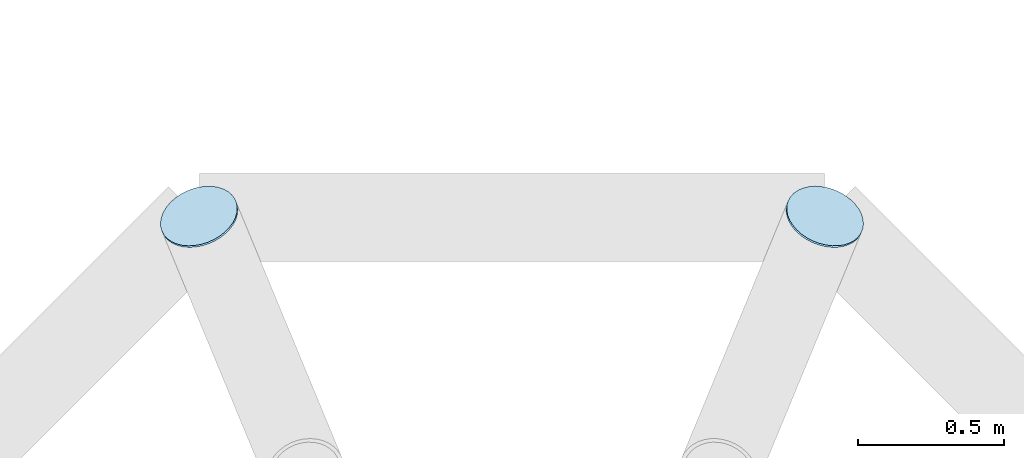
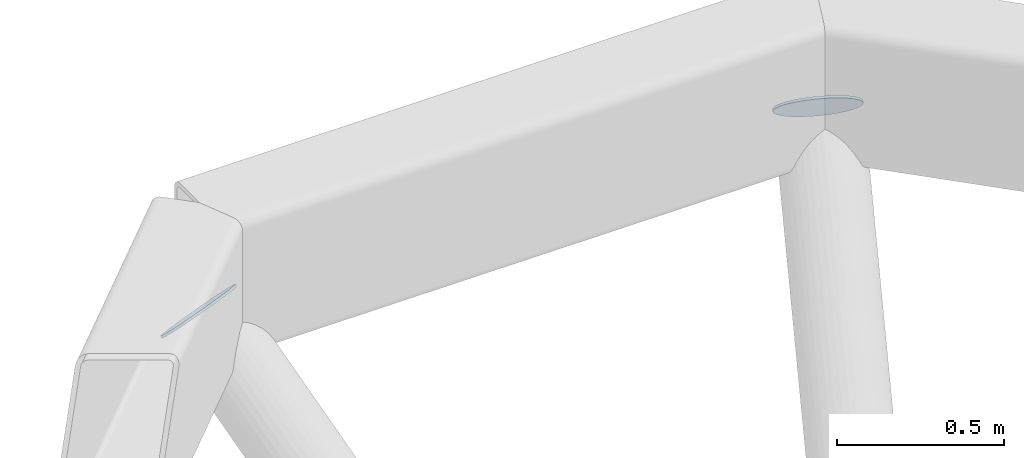
# One storey, part 31 of 42: 2 plates.
"""IFC4 building model written with IfcOpenShell, lengths in metres."""

from ifc_helpers import new_model, si_unit, direction, frame, origin, origin_2d, place, context, subcontext, project, spatial, circle, extrude, material, material_profile, profile_set, type_object, element, save


model = new_model("IFC4")

# Units and contexts
model_context = context("Model", 3, precision=1e-05, world=origin(), true_north=direction((0.0, 1.0)))
body_context = subcontext(model_context, "Body", "Model", "MODEL_VIEW")
ifc_project = project(units=[si_unit("LENGTHUNIT", "METRE"), si_unit("AREAUNIT", "SQUARE_METRE"), si_unit("VOLUMEUNIT", "CUBIC_METRE"), si_unit("PLANEANGLEUNIT", "RADIAN"), si_unit("MASSUNIT", "GRAM", prefix="KILO")], contexts=[model_context])

# Site, building, storey
site_placement = place(None, origin())
site = spatial("IfcSite", under=ifc_project, at=site_placement, CompositionType="ELEMENT")
building_placement = place(site_placement, origin())
building = spatial("IfcBuilding", under=site, at=building_placement, Name="Magnolia Steps Interchange", CompositionType="ELEMENT")
storey_placement = place(building_placement, frame((0.0, 0.0, 12.60009765625)))
storey = spatial("IfcBuildingStorey", under=building, at=storey_placement, Name="L03", CompositionType="ELEMENT", Elevation=12.60009765625)

# Plates
ifc_material = material(Name="Steel Q355B", Category="steel")
ifc_material_profile = material_profile(ifc_material, circle(Radius=0.136474609375, at=origin_2d()), Name="End plate CHS273x14")
ifc_profile_set = profile_set([ifc_material_profile], Name="Steel Q355B")
plate_type = type_object("IfcPlateType", Name="End plate CHS273x14", PredefinedType="SHEET", material=ifc_profile_set)
for number, where, z_axis, x_axis, name in (
    (1, (119.068603515625, 77.3798828125, 3.325439453125), (0.275279424158, 0.664583318381, 0.694658370398), (-0.923879532336, 0.382683432789, 0.0), "End plate Tree rib"),
    (2, (116.931396484375, 77.3798828125, 3.325439453125), (-0.275279424158, 0.664583318381, 0.694658370398), (-0.923879532336, -0.382683432789, 0.0), "End plate Tree rib"),
):
    element("IfcPlate", number, at=place(storey_placement, frame(where, z_axis=z_axis, x_axis=x_axis)), inside=storey, type_object=plate_type, Name=name, PredefinedType="SHEET", context=body_context, shape_type="SweptSolid", body=[
        extrude(circle(Radius=0.136474609375, at=origin_2d()), origin(), (0.0, 0.0, 1.0), 0.008056640625),
    ])

save(model, "model.ifc")
